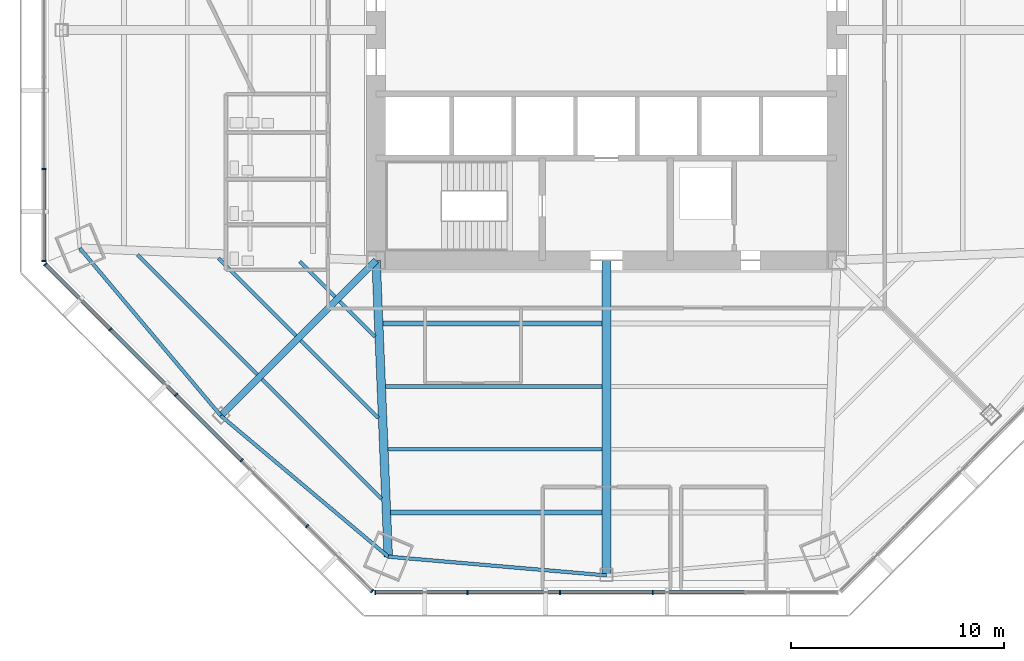
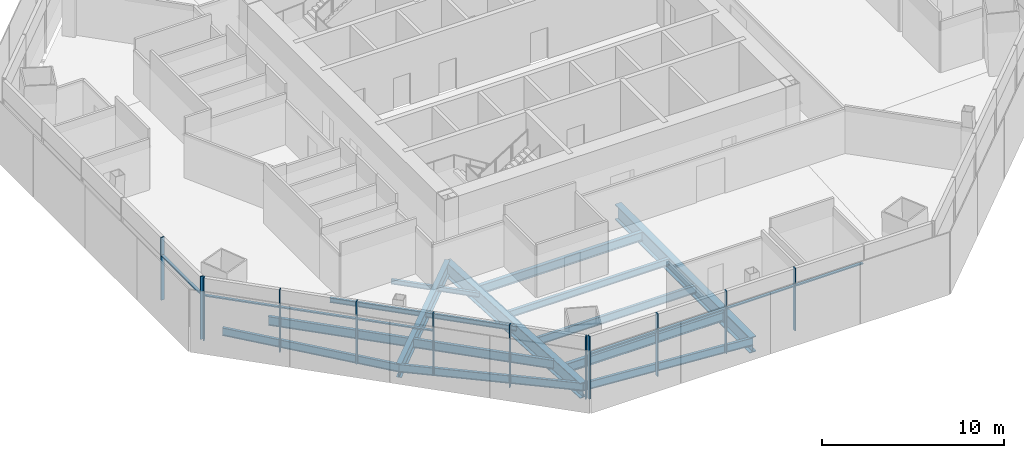
# One storey, part 2 of 15: 20 members, 16 beams, 3 elements without a shape of their own.
"""IFC4 building model written with IfcOpenShell, lengths in metres."""

from ifc_helpers import new_model, si_unit, direction, frame, origin, origin_2d, place, context, subcontext, project, spatial, rectangle, i_section, extrude, source, transform, mapped, material, material_profile, profile_set, type_object, type_shapes, element, aggregate, save


model = new_model("IFC4")

# Units and contexts
model_context = context("Model", 3, precision=1e-05, world=origin(), true_north=direction((0.0, 1.0)))
body_context = subcontext(model_context, "Body", "Model", "MODEL_VIEW")
ifc_project = project(units=[si_unit("LENGTHUNIT", "METRE"), si_unit("AREAUNIT", "SQUARE_METRE"), si_unit("VOLUMEUNIT", "CUBIC_METRE"), si_unit("PLANEANGLEUNIT", "RADIAN"), si_unit("MASSUNIT", "GRAM", prefix="KILO")], contexts=[model_context])

# Site, building, storey
site_placement = place(None, origin())
site = spatial("IfcSite", under=ifc_project, at=site_placement, CompositionType="ELEMENT")
building_placement = place(site_placement, origin())
building = spatial("IfcBuilding", under=site, at=building_placement, Name="Mashrafa Tower", CompositionType="ELEMENT")
storey_placement = place(building_placement, frame((0.0, 0.0, 58.199951171875)))
storey = spatial("IfcBuildingStorey", under=building, at=storey_placement, Name="L12", CompositionType="ELEMENT", Elevation=58.199951171875)

# Beams
ifc_material_1 = material(Name="Steel ASTM A992", Category="steel")
ifc_material_profile_1 = material_profile(ifc_material_1, i_section(OverallWidth=0.164794921875, OverallDepth=0.309814453125, WebThickness=0.005859375, FlangeThickness=0.009765625, FilletRadius=0.007568359375, at=origin_2d()), Name="W12X26")
ifc_profile_set_1 = profile_set([ifc_material_profile_1], Name="Steel ASTM A992")
beam_type_1 = type_object("IfcBeamType", Name="Beam W12X26", PredefinedType="BEAM", material=ifc_profile_set_1)
beam_1_placement = place(storey_placement, frame((-14.550048828125, -14.332763671875, -0.31982421875), z_axis=(-0.707106781187, 0.707106781187, 0.0), x_axis=(-0.707106781187, -0.707106781187, 0.0)))
element("IfcBeam", 1, at=beam_1_placement, inside=storey, type_object=beam_type_1, Name="Floor beam L12 012", PredefinedType="BEAM", context=body_context, shape_type="SweptSolid", body=[
    extrude(i_section(OverallWidth=0.164794921875, OverallDepth=0.309814453125, WebThickness=0.005859375, FlangeThickness=0.009765625, FilletRadius=0.007568359375, at=origin_2d()), origin(), (0.0, 0.0, 1.0), 5.141357421875),
])
for number, where, z_axis, x_axis, name in (
    (2, (-12.7294921875, -12.511962890625, -0.31982421875), (-0.707106781187, 0.707106781187, 0.0), (-0.707106781187, -0.707106781187, 0.0), "Floor beam L12 016"),
    (3, (-10.853271484375, -14.38818359375, -0.31982421875), (-0.707106781187, 0.707106781187, 0.0), (-0.707106781187, -0.707106781187, 0.0), "Floor beam L12 019"),
):
    element("IfcBeam", number, at=place(storey_placement, frame(where, z_axis=z_axis, x_axis=x_axis)), inside=storey, type_object=beam_type_1, Name=name, PredefinedType="BEAM", context=body_context, shape_type="SweptSolid", body=[
        extrude(i_section(OverallWidth=0.164794921875, OverallDepth=0.309814453125, WebThickness=0.005859375, FlangeThickness=0.009765625, FilletRadius=0.007568359375, at=origin_2d()), origin(), (0.0, 0.0, 1.0), 2.345703125),
    ])
beam_2_placement = place(storey_placement, frame((-10.697265625, -18.185546875, -0.31982421875), z_axis=(-0.707106781187, 0.707106781187, 0.0), x_axis=(-0.707106781187, -0.707106781187, 0.0)))
element("IfcBeam", 4, at=beam_2_placement, inside=storey, type_object=beam_type_1, Name="Floor beam L12 021", PredefinedType="BEAM", context=body_context, shape_type="SweptSolid", body=[
    extrude(i_section(OverallWidth=0.164794921875, OverallDepth=0.309814453125, WebThickness=0.005859375, FlangeThickness=0.009765625, FilletRadius=0.007568359375, at=origin_2d()), origin(), (0.0, 0.0, 1.0), 5.141357421875),
])
ifc_material_2 = material(Name="Steel ASTM A992", Category="steel")
ifc_material_profile_2 = material_profile(ifc_material_2, i_section(OverallWidth=0.191162109375, OverallDepth=0.459716796875, WebThickness=0.010009765625, FlangeThickness=0.01611328125, FilletRadius=0.01025390625, at=origin_2d()), Name="W18X55")
ifc_profile_set_2 = profile_set([ifc_material_profile_2], Name="Steel ASTM A992")
beam_type_2 = type_object("IfcBeamType", Name="Beam W18X55", PredefinedType="BEAM", material=ifc_profile_set_2)
beam_3_placement = place(storey_placement, frame((-0.20458984375, -16.709228515625, -0.394775390625), z_axis=(-1.0, 0.0, 0.0), x_axis=(0.0, -1.0, 0.0)))
element("IfcBeam", 5, at=beam_3_placement, inside=storey, type_object=beam_type_2, Name="Floor beam L12 027", PredefinedType="BEAM", context=body_context, shape_type="SweptSolid", body=[
    extrude(i_section(OverallWidth=0.191162109375, OverallDepth=0.459716796875, WebThickness=0.010009765625, FlangeThickness=0.01611328125, FilletRadius=0.01025390625, at=origin_2d()), origin(), (0.0, 0.0, 1.0), 10.151611328125),
])
ifc_material_3 = material(Name="Steel ASTM A992", Category="steel")
ifc_material_profile_3 = material_profile(ifc_material_3, i_section(OverallWidth=0.165771484375, OverallDepth=0.5283203125, WebThickness=0.009765625, FlangeThickness=0.013671875, FilletRadius=0.012939453125, at=origin_2d()), Name="W21X50")
ifc_profile_set_3 = profile_set([ifc_material_profile_3], Name="Steel ASTM A992")
beam_type_3 = type_object("IfcBeamType", Name="Beam W21X50", PredefinedType="BEAM", material=ifc_profile_set_3)
beam_4_placement = place(storey_placement, frame((-0.20458984375, -19.663818359375, -0.42919921875), z_axis=(-1.0, 0.0, 0.0), x_axis=(0.0, -1.0, 0.0)))
element("IfcBeam", 6, at=beam_4_placement, inside=storey, type_object=beam_type_3, Name="Floor beam L12 026", PredefinedType="BEAM", context=body_context, shape_type="SweptSolid", body=[
    extrude(i_section(OverallWidth=0.165771484375, OverallDepth=0.5283203125, WebThickness=0.009765625, FlangeThickness=0.013671875, FilletRadius=0.012939453125, at=origin_2d()), origin(), (0.0, 0.0, 1.0), 10.0302734375),
])
for number, where, z_axis, x_axis, name in (
    (7, (-24.69482421875, -10.22900390625, -0.42919921875), (0.644042739495, -0.764989509538, 0.0), (0.764989509538, 0.644042739495, 0.0), "Spandrel beam L12 074"),
    (8, (-18.082763671875, -18.082763671875, -0.42919921875), (0.764989509538, -0.644042739495, 0.0), (0.644042739495, 0.764989509538, 0.0), "Spandrel beam L12 076"),
    (9, (-10.22900390625, -24.69482421875, -0.42919921875), (0.996335019601, -0.08553670976, 0.0), (0.08553670976, 0.996335019601, 0.0), "Spandrel beam L12 078"),
):
    element("IfcBeam", number, at=place(storey_placement, frame(where, z_axis=z_axis, x_axis=x_axis)), inside=storey, type_object=beam_type_3, Name=name, PredefinedType="BEAM", context=body_context, shape_type="SweptSolid", body=[
        extrude(i_section(OverallWidth=0.165771484375, OverallDepth=0.5283203125, WebThickness=0.009765625, FlangeThickness=0.013671875, FilletRadius=0.012939453125, at=origin_2d()), origin(), (0.0, 0.0, 1.0), 10.2666015625),
    ])
ifc_material_4 = material(Name="Steel ASTM A992", Category="steel")
ifc_material_profile_4 = material_profile(ifc_material_4, i_section(OverallWidth=0.177978515625, OverallDepth=0.599365234375, WebThickness=0.010009765625, FlangeThickness=0.012939453125, FilletRadius=0.012939453125, at=origin_2d()), Name="W24X55")
ifc_profile_set_4 = profile_set([ifc_material_profile_4], Name="Steel ASTM A992")
beam_type_4 = type_object("IfcBeamType", Name="Beam W24X55", PredefinedType="BEAM", material=ifc_profile_set_4)
for number, where, z_axis, x_axis, name in (
    (10, (-16.370849609375, -16.1533203125, -0.464599609375), (-0.707106781187, 0.707106781187, 0.0), (-0.707106781187, -0.707106781187, 0.0), "Floor beam L12 009"),
    (11, (-10.541259765625, -21.98291015625, -0.464599609375), (-0.707106781187, 0.707106781187, 0.0), (-0.707106781187, -0.707106781187, 0.0), "Floor beam L12 023"),
):
    element("IfcBeam", number, at=place(storey_placement, frame(where, z_axis=z_axis, x_axis=x_axis)), inside=storey, type_object=beam_type_4, Name=name, PredefinedType="BEAM", context=body_context, shape_type="SweptSolid", body=[
        extrude(i_section(OverallWidth=0.177978515625, OverallDepth=0.599365234375, WebThickness=0.010009765625, FlangeThickness=0.012939453125, FilletRadius=0.012939453125, at=origin_2d()), origin(), (0.0, 0.0, 1.0), 7.936767578125),
    ])
ifc_material_5 = material(Name="Steel ASTM A992", Category="steel")
ifc_material_profile_5 = material_profile(ifc_material_5, i_section(OverallWidth=0.227783203125, OverallDepth=0.60205078125, WebThickness=0.010498046875, FlangeThickness=0.014892578125, FilletRadius=0.012939453125, at=origin_2d()), Name="W24X68")
ifc_profile_set_5 = profile_set([ifc_material_profile_5], Name="Steel ASTM A992")
beam_type_5 = type_object("IfcBeamType", Name="Beam W24X68", PredefinedType="BEAM", material=ifc_profile_set_5)
beam_5_placement = place(storey_placement, frame((-0.20458984375, -13.754638671875, -0.4658203125), z_axis=(-1.0, 0.0, 0.0), x_axis=(0.0, -1.0, 0.0)))
element("IfcBeam", 12, at=beam_5_placement, inside=storey, type_object=beam_type_5, Name="Floor beam L12 028", PredefinedType="BEAM", context=body_context, shape_type="SweptSolid", body=[
    extrude(i_section(OverallWidth=0.227783203125, OverallDepth=0.60205078125, WebThickness=0.010498046875, FlangeThickness=0.014892578125, FilletRadius=0.012939453125, at=origin_2d()), origin(), (0.0, 0.0, 1.0), 10.273193359375),
])
ifc_material_6 = material(Name="Steel ASTM A992", Category="steel")
ifc_material_profile_6 = material_profile(ifc_material_6, i_section(OverallWidth=0.228271484375, OverallDepth=0.607177734375, WebThickness=0.01123046875, FlangeThickness=0.017333984375, FilletRadius=0.0126953125, at=origin_2d()), Name="W24X76")
ifc_profile_set_6 = profile_set([ifc_material_profile_6], Name="Steel ASTM A992")
beam_type_6 = type_object("IfcBeamType", Name="Beam W24X76", PredefinedType="BEAM", material=ifc_profile_set_6)
beam_6_placement = place(storey_placement, frame((-0.20458984375, -22.618408203125, -0.468505859375), z_axis=(-1.0, 0.0, 0.0), x_axis=(0.0, -1.0, 0.0)))
element("IfcBeam", 13, at=beam_6_placement, inside=storey, type_object=beam_type_6, Name="Floor beam L12 025", PredefinedType="BEAM", context=body_context, shape_type="SweptSolid", body=[
    extrude(i_section(OverallWidth=0.228271484375, OverallDepth=0.607177734375, WebThickness=0.01123046875, FlangeThickness=0.017333984375, FilletRadius=0.0126953125, at=origin_2d()), origin(), (0.0, 0.0, 1.0), 9.90869140625),
])
ifc_material_7 = material(Name="Steel ASTM A992", Category="steel")
ifc_material_profile_7 = material_profile(ifc_material_7, i_section(OverallWidth=0.307373046875, OverallDepth=0.927001953125, WebThickness=0.01953125, FlangeThickness=0.031982421875, FilletRadius=0.01904296875, at=origin_2d()), Name="W36X194")
ifc_profile_set_7 = profile_set([ifc_material_profile_7], Name="Steel ASTM A992")
beam_type_7 = type_object("IfcBeamType", Name="Beam W36X194", PredefinedType="BEAM", material=ifc_profile_set_7)
beam_7_placement = place(storey_placement, frame((-10.800048828125, -10.800048828125, -0.62841796875), z_axis=(-0.707106781187, -0.707106781187, 0.0), x_axis=(0.707106781187, -0.707106781187, 0.0)))
element("IfcBeam", 14, at=beam_7_placement, inside=storey, type_object=beam_type_7, Name="Radial girder L12 058", PredefinedType="BEAM", context=body_context, shape_type="SweptSolid", body=[
    extrude(i_section(OverallWidth=0.307373046875, OverallDepth=0.927001953125, WebThickness=0.01953125, FlangeThickness=0.031982421875, FilletRadius=0.01904296875, at=origin_2d()), origin(), (0.0, 0.0, 1.0), 10.29931640625),
])
ifc_material_8 = material(Name="Steel ASTM A992", Category="steel")
ifc_material_profile_8 = material_profile(ifc_material_8, i_section(OverallWidth=0.4013671875, OverallDepth=1.010986328125, WebThickness=0.023681640625, FlangeThickness=0.0419921875, FilletRadius=0.02001953125, at=origin_2d()), Name="W40X297")
ifc_profile_set_8 = profile_set([ifc_material_profile_8], Name="Steel ASTM A992")
beam_type_8 = type_object("IfcBeamType", Name="Beam W40X297", PredefinedType="BEAM", material=ifc_profile_set_8)
beam_8_placement = place(storey_placement, frame((-10.800048828125, -10.800048828125, -0.67041015625), z_axis=(0.041063152138, -0.999156553067, 0.0), x_axis=(0.999156553067, 0.041063152138, 0.0)))
element("IfcBeam", 15, at=beam_8_placement, inside=storey, type_object=beam_type_8, Name="Radial girder L12 059", PredefinedType="BEAM", context=body_context, shape_type="SweptSolid", body=[
    extrude(i_section(OverallWidth=0.4013671875, OverallDepth=1.010986328125, WebThickness=0.023681640625, FlangeThickness=0.0419921875, FilletRadius=0.02001953125, at=origin_2d()), origin(), (0.0, 0.0, 1.0), 13.906494140625),
])
ifc_material_9 = material(Name="Steel ASTM A992", Category="steel")
ifc_material_profile_9 = material_profile(ifc_material_9, i_section(OverallWidth=0.408935546875, OverallDepth=1.04150390625, WebThickness=0.031005859375, FlangeThickness=0.055908203125, FilletRadius=0.020263671875, at=origin_2d()), Name="W40X397")
ifc_profile_set_9 = profile_set([ifc_material_profile_9], Name="Steel ASTM A992")
beam_type_9 = type_object("IfcBeamType", Name="Beam W40X397", PredefinedType="BEAM", material=ifc_profile_set_9)
beam_9_placement = place(storey_placement, frame((0.0, -10.800048828125, -0.685546875), z_axis=(0.0, -1.0, 0.0), x_axis=(1.0, 0.0, 0.0)))
element("IfcBeam", 16, at=beam_9_placement, inside=storey, type_object=beam_type_9, Name="Radial girder L12 064", PredefinedType="BEAM", context=body_context, shape_type="SweptSolid", body=[
    extrude(i_section(OverallWidth=0.408935546875, OverallDepth=1.04150390625, WebThickness=0.031005859375, FlangeThickness=0.055908203125, FilletRadius=0.020263671875, at=origin_2d()), origin(), (0.0, 0.0, 1.0), 14.77294921875),
])

# Curtain wall, members
ifc_material_10 = material(Name="Unitised aluminium curtain wall", Category="aluminium")
curtain_wall_type = type_object("IfcCurtainWallType", Name="Office curtain wall, zone 1 CW-A 200 deep", PredefinedType="NOTDEFINED", material=ifc_material_10)
curtain_wall_1_placement = place(storey_placement, origin())
curtain_wall_1 = element("IfcCurtainWall", 17, at=curtain_wall_1_placement, inside=storey, type_object=curtain_wall_type, Name="Office curtain wall, zone 1 L12 west", PredefinedType="NOTDEFINED")
ifc_material_11 = material(Name="Extruded aluminium mullion", Category="aluminium")
ifc_material_profile_10 = material_profile(ifc_material_11, rectangle(XDim=0.199951171875, YDim=0.06494140625, at=origin_2d()), Name="Mullion 65x200")
ifc_profile_set_10 = profile_set([ifc_material_profile_10], Name="Extruded aluminium mullion")
member_type_1 = type_object("IfcMemberType", Name="Mullion CW-A 65 x 200", PredefinedType="MULLION", material=ifc_profile_set_10)
shared_shape_1 = source(origin(), body_context, "Body", "SweptSolid", [
    extrude(rectangle(XDim=0.199951171875, YDim=0.06494140625, at=origin_2d()), origin(), (0.0, 0.0, 1.0), 4.199951171875),
])
type_shapes(member_type_1, [shared_shape_1])
member_1_placement = place(storey_placement, frame((-26.368408203125, -6.5224609375, 0.0), z_axis=(0.0, 0.0, 1.0), x_axis=(1.0, 0.0, 0.0)))
member_1 = element("IfcMember", 18, at=member_1_placement, type_object=member_type_1, Name="CW-A mullion 5", PredefinedType="MULLION", context=body_context, shape_type="MappedRepresentation", body=[
    mapped(shared_shape_1, transform((0.0, 0.0, 0.0))),
])
member_2_placement = place(storey_placement, frame((-26.368408203125, -10.838134765625, 0.0), z_axis=(0.0, 0.0, 1.0), x_axis=(1.0, 0.0, 0.0)))
member_2 = element("IfcMember", 19, at=member_2_placement, type_object=member_type_1, Name="CW-A mullion 6", PredefinedType="MULLION", context=body_context, shape_type="MappedRepresentation", body=[
    mapped(shared_shape_1, transform((0.0, 0.0, 0.0))),
])

curtain_wall_2_placement = place(storey_placement, origin())
curtain_wall_2 = element("IfcCurtainWall", 20, at=curtain_wall_2_placement, inside=storey, type_object=curtain_wall_type, Name="Office curtain wall, zone 1 L12 south-west", PredefinedType="NOTDEFINED")
member_3_placement = place(storey_placement, frame((-26.30908203125, -10.9814453125, 0.0), z_axis=(0.0, 0.0, 1.0), x_axis=(0.707106781187, 0.707106781187, 0.0)))
member_3 = element("IfcMember", 21, at=member_3_placement, type_object=member_type_1, Name="CW-A mullion 1", PredefinedType="MULLION", context=body_context, shape_type="MappedRepresentation", body=[
    mapped(shared_shape_1, transform((0.0, 0.0, 0.0))),
])
member_4_placement = place(storey_placement, frame((-23.25732421875, -14.033203125, 0.0), z_axis=(0.0, 0.0, 1.0), x_axis=(0.707106781187, 0.707106781187, 0.0)))
member_4 = element("IfcMember", 22, at=member_4_placement, type_object=member_type_1, Name="CW-A mullion 2", PredefinedType="MULLION", context=body_context, shape_type="MappedRepresentation", body=[
    mapped(shared_shape_1, transform((0.0, 0.0, 0.0))),
])
member_5_placement = place(storey_placement, frame((-20.1826171875, -17.10791015625, 0.0), z_axis=(0.0, 0.0, 1.0), x_axis=(0.707106781187, 0.707106781187, 0.0)))
member_5 = element("IfcMember", 23, at=member_5_placement, type_object=member_type_1, Name="CW-A mullion 3", PredefinedType="MULLION", context=body_context, shape_type="MappedRepresentation", body=[
    mapped(shared_shape_1, transform((0.0, 0.0, 0.0))),
])
member_6_placement = place(storey_placement, frame((-17.10791015625, -20.1826171875, 0.0), z_axis=(0.0, 0.0, 1.0), x_axis=(0.707106781187, 0.707106781187, 0.0)))
member_6 = element("IfcMember", 24, at=member_6_placement, type_object=member_type_1, Name="CW-A mullion 4", PredefinedType="MULLION", context=body_context, shape_type="MappedRepresentation", body=[
    mapped(shared_shape_1, transform((0.0, 0.0, 0.0))),
])
member_7_placement = place(storey_placement, frame((-14.033203125, -23.25732421875, 0.0), z_axis=(0.0, 0.0, 1.0), x_axis=(0.707106781187, 0.707106781187, 0.0)))
member_7 = element("IfcMember", 25, at=member_7_placement, type_object=member_type_1, Name="CW-A mullion 5", PredefinedType="MULLION", context=body_context, shape_type="MappedRepresentation", body=[
    mapped(shared_shape_1, transform((0.0, 0.0, 0.0))),
])
member_8_placement = place(storey_placement, frame((-10.9814453125, -26.30908203125, 0.0), z_axis=(0.0, 0.0, 1.0), x_axis=(0.707106781187, 0.707106781187, 0.0)))
member_8 = element("IfcMember", 26, at=member_8_placement, type_object=member_type_1, Name="CW-A mullion 6", PredefinedType="MULLION", context=body_context, shape_type="MappedRepresentation", body=[
    mapped(shared_shape_1, transform((0.0, 0.0, 0.0))),
])

curtain_wall_3_placement = place(storey_placement, origin())
curtain_wall_3 = element("IfcCurtainWall", 27, at=curtain_wall_3_placement, inside=storey, type_object=curtain_wall_type, Name="Office curtain wall, zone 1 L12 south", PredefinedType="NOTDEFINED")
member_9_placement = place(storey_placement, frame((-10.838134765625, -26.368408203125, 0.0), z_axis=(0.0, 0.0, 1.0), x_axis=(0.0, 1.0, 0.0)))
member_9 = element("IfcMember", 28, at=member_9_placement, type_object=member_type_1, Name="CW-A mullion 1", PredefinedType="MULLION", context=body_context, shape_type="MappedRepresentation", body=[
    mapped(shared_shape_1, transform((0.0, 0.0, 0.0))),
])
member_10_placement = place(storey_placement, frame((-6.5224609375, -26.368408203125, 0.0), z_axis=(0.0, 0.0, 1.0), x_axis=(0.0, 1.0, 0.0)))
member_10 = element("IfcMember", 29, at=member_10_placement, type_object=member_type_1, Name="CW-A mullion 2", PredefinedType="MULLION", context=body_context, shape_type="MappedRepresentation", body=[
    mapped(shared_shape_1, transform((0.0, 0.0, 0.0))),
])
member_11_placement = place(storey_placement, frame((-2.174072265625, -26.368408203125, 0.0), z_axis=(0.0, 0.0, 1.0), x_axis=(0.0, 1.0, 0.0)))
member_11 = element("IfcMember", 30, at=member_11_placement, type_object=member_type_1, Name="CW-A mullion 3", PredefinedType="MULLION", context=body_context, shape_type="MappedRepresentation", body=[
    mapped(shared_shape_1, transform((0.0, 0.0, 0.0))),
])
member_12_placement = place(storey_placement, frame((2.174072265625, -26.368408203125, 0.0), z_axis=(0.0, 0.0, 1.0), x_axis=(0.0, 1.0, 0.0)))
member_12 = element("IfcMember", 31, at=member_12_placement, type_object=member_type_1, Name="CW-A mullion 4", PredefinedType="MULLION", context=body_context, shape_type="MappedRepresentation", body=[
    mapped(shared_shape_1, transform((0.0, 0.0, 0.0))),
])

# Member
ifc_material_12 = material(Name="Extruded aluminium transom", Category="aluminium")
ifc_material_profile_11 = material_profile(ifc_material_12, rectangle(XDim=0.159912109375, YDim=0.080078125, at=origin_2d()), Name="Transom 80x160")
ifc_profile_set_11 = profile_set([ifc_material_profile_11], Name="Extruded aluminium transom")
member_type_2 = type_object("IfcMemberType", Name="Transom CW-A 80 x 160", PredefinedType="MULLION", material=ifc_profile_set_11)
shared_shape_2 = source(origin(), body_context, "Body", "SweptSolid", [
    extrude(rectangle(XDim=0.159912109375, YDim=0.080078125, at=origin_2d()), origin(), (0.0, 0.0, 1.0), 4.250732421875),
])
member_13_placement = place(storey_placement, frame((-26.368408203125, -6.554931640625, 3.0), z_axis=(0.0, -1.0, 0.0), x_axis=(1.0, 0.0, 0.0)))
member_13 = element("IfcMember", 32, at=member_13_placement, type_object=member_type_2, Name="CW-A transom 5", PredefinedType="MULLION", context=body_context, shape_type="MappedRepresentation", body=[
    mapped(shared_shape_2, transform((0.0, 0.0, 0.0))),
])

aggregate(curtain_wall_1, [member_1, member_2, member_13])

member_14_placement = place(storey_placement, frame((-26.285888671875, -11.00439453125, 3.0), z_axis=(0.707078063275, -0.707135497932, 0.0), x_axis=(0.707135497932, 0.707078063275, 0.0)))
member_14 = element("IfcMember", 33, at=member_14_placement, type_object=member_type_2, Name="CW-A transom 1", PredefinedType="MULLION", context=body_context, shape_type="MappedRepresentation", body=[
    mapped(shared_shape_2, transform((0.0, 0.0, 0.0))),
])

member_15_placement = place(storey_placement, frame((-10.8056640625, -26.368408203125, 3.0), z_axis=(1.0, 0.0, 0.0), x_axis=(0.0, 1.0, 0.0)))
member_15 = element("IfcMember", 34, at=member_15_placement, type_object=member_type_2, Name="CW-A transom 1", PredefinedType="MULLION", context=body_context, shape_type="MappedRepresentation", body=[
    mapped(shared_shape_2, transform((0.0, 0.0, 0.0))),
])

shared_shape_3 = source(origin(), body_context, "Body", "SweptSolid", [
    extrude(rectangle(XDim=0.159912109375, YDim=0.080078125, at=origin_2d()), origin(), (0.0, 0.0, 1.0), 4.283447265625),
])
member_16_placement = place(storey_placement, frame((-23.234375, -14.05615234375, 3.0), z_axis=(0.707106781187, -0.707106781187, 0.0), x_axis=(0.707106781187, 0.707106781187, 0.0)))
member_16 = element("IfcMember", 35, at=member_16_placement, type_object=member_type_2, Name="CW-A transom 2", PredefinedType="MULLION", context=body_context, shape_type="MappedRepresentation", body=[
    mapped(shared_shape_3, transform((0.0, 0.0, 0.0))),
])

member_17_placement = place(storey_placement, frame((-20.15966796875, -17.130859375, 3.0), z_axis=(0.707106781187, -0.707106781187, 0.0), x_axis=(0.707106781187, 0.707106781187, 0.0)))
member_17 = element("IfcMember", 36, at=member_17_placement, type_object=member_type_2, Name="CW-A transom 3", PredefinedType="MULLION", context=body_context, shape_type="MappedRepresentation", body=[
    mapped(shared_shape_3, transform((0.0, 0.0, 0.0))),
])

aggregate(curtain_wall_2, [member_3, member_4, member_5, member_6, member_7, member_8, member_14, member_16, member_17])

member_18_placement = place(storey_placement, frame((-6.489990234375, -26.368408203125, 3.0), z_axis=(1.0, 0.0, 0.0), x_axis=(0.0, 1.0, 0.0)))
member_18 = element("IfcMember", 37, at=member_18_placement, type_object=member_type_2, Name="CW-A transom 2", PredefinedType="MULLION", context=body_context, shape_type="MappedRepresentation", body=[
    mapped(shared_shape_3, transform((0.0, 0.0, 0.0))),
])

member_19_placement = place(storey_placement, frame((2.20654296875, -26.368408203125, 3.0), z_axis=(1.0, 0.0, 0.0), x_axis=(0.0, 1.0, 0.0)))
member_19 = element("IfcMember", 38, at=member_19_placement, type_object=member_type_2, Name="CW-A transom 4", PredefinedType="MULLION", context=body_context, shape_type="MappedRepresentation", body=[
    mapped(shared_shape_3, transform((0.0, 0.0, 0.0))),
])

shared_shape_4 = source(origin(), body_context, "Body", "SweptSolid", [
    extrude(rectangle(XDim=0.159912109375, YDim=0.080078125, at=origin_2d()), origin(), (0.0, 0.0, 1.0), 4.283203125),
])
type_shapes(member_type_2, [shared_shape_2, shared_shape_3, shared_shape_4])
member_20_placement = place(storey_placement, frame((-2.1416015625, -26.368408203125, 3.0), z_axis=(1.0, 0.0, 0.0), x_axis=(0.0, 1.0, 0.0)))
member_20 = element("IfcMember", 39, at=member_20_placement, type_object=member_type_2, Name="CW-A transom 3", PredefinedType="MULLION", context=body_context, shape_type="MappedRepresentation", body=[
    mapped(shared_shape_4, transform((0.0, 0.0, 0.0))),
])

aggregate(curtain_wall_3, [member_9, member_10, member_11, member_12, member_15, member_18, member_20, member_19])

save(model, "model.ifc")
